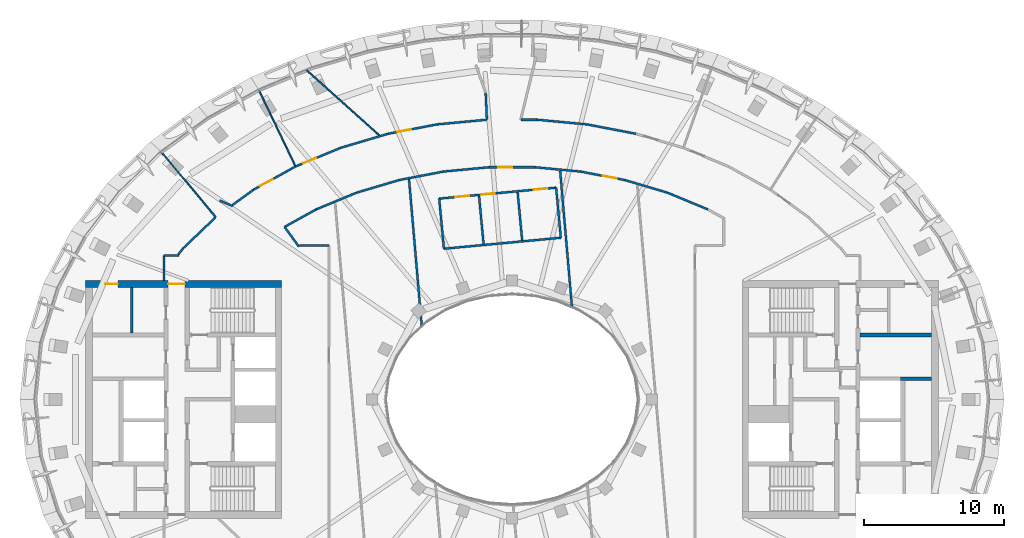
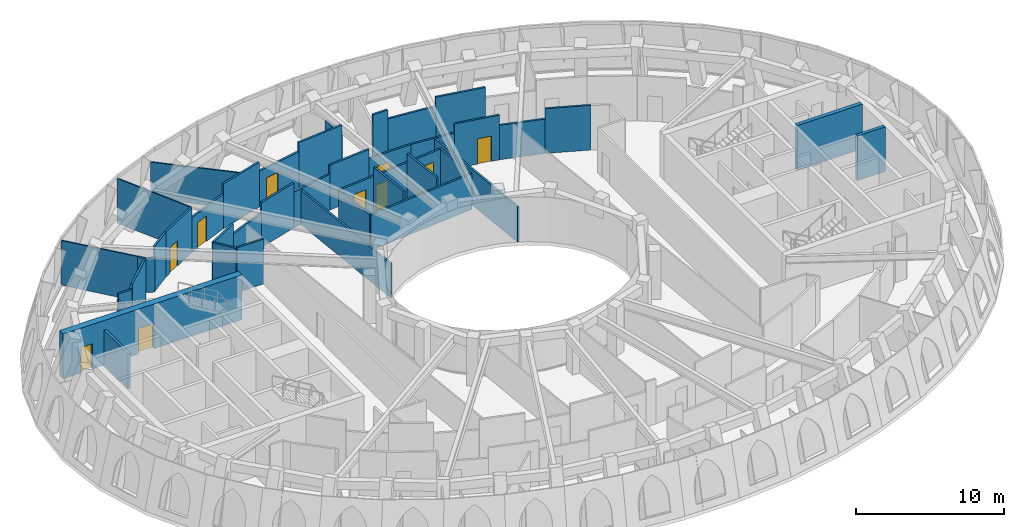
# One storey, part 6 of 14: 43 walls, 10 doors, 10 openings.
"""IFC4 building model written with IfcOpenShell, lengths in metres."""

from ifc_helpers import new_model, si_unit, direction, frame, frame_2d, origin, place, context, subcontext, project, spatial, rectangle, extrude, material, layer, layer_set, type_object, element, fill, save


model = new_model("IFC4")

# Units and contexts
model_context = context("Model", 3, precision=1e-05, world=origin(), true_north=direction((0.0, 1.0)))
body_context = subcontext(model_context, "Body", "Model", "MODEL_VIEW")
ifc_project = project(units=[si_unit("LENGTHUNIT", "METRE"), si_unit("AREAUNIT", "SQUARE_METRE"), si_unit("VOLUMEUNIT", "CUBIC_METRE"), si_unit("PLANEANGLEUNIT", "RADIAN"), si_unit("MASSUNIT", "GRAM", prefix="KILO")], contexts=[model_context])

# Site, building, storey
site_placement = place(None, origin())
site = spatial("IfcSite", under=ifc_project, at=site_placement, CompositionType="ELEMENT")
building_placement = place(site_placement, origin())
building = spatial("IfcBuilding", under=site, at=building_placement, Name="Noorbagh Ring Tower", CompositionType="ELEMENT")
storey_placement = place(building_placement, frame((0.0, 0.0, 339.0)))
storey = spatial("IfcBuildingStorey", under=building, at=storey_placement, Name="L74", CompositionType="ELEMENT", Elevation=339.0)

# Walls
ifc_material_1 = material(Name="Gypsum board on steel studs", Category="steel")
ifc_layer_1 = layer(ifc_material_1, 0.199951171875)
ifc_layer_set_1 = layer_set([ifc_layer_1], Name="Gypsum board on steel studs")
wall_type_1 = type_object("IfcWallType", Name="CORE-PARTITION-200", PredefinedType="PARTITIONING", material=ifc_layer_set_1)
wall_1_placement = place(storey_placement, frame((-27.199951171875, 4.75, 0.0), z_axis=(0.0, 0.0, 1.0), x_axis=(0.0, 1.0, 0.0)))
element("IfcWall", 1, at=wall_1_placement, inside=storey, type_object=wall_type_1, Name="Core partition W", PredefinedType="PARTITIONING", context=body_context, shape_type="SweptSolid", body=[
    extrude(rectangle(XDim=3.25, YDim=0.199951171875, at=frame_2d((1.625, 0.0))), origin(), (0.0, 0.0, 1.0), 2.89990234375),
])
ifc_material_2 = material(Name="Concrete C50/60", Category="concrete")
ifc_layer_2 = layer(ifc_material_2, 0.25)
ifc_layer_set_2 = layer_set([ifc_layer_2], Name="Concrete C50/60")
wall_type_2 = type_object("IfcWallType", Name="CORE-WALL-250-C50-60-EI120", PredefinedType="SHEAR", material=ifc_layer_set_2)
wall_2_placement = place(storey_placement, frame((27.800048828125, 1.47509765625, 0.0), z_axis=(0.0, 0.0, 1.0), x_axis=(1.0, 0.0, 0.0)))
element("IfcWall", 2, at=wall_2_placement, inside=storey, type_object=wall_type_2, Name="Core wall E", PredefinedType="SHEAR", context=body_context, shape_type="SweptSolid", body=[
    extrude(rectangle(XDim=2.199951171875, YDim=0.25, at=frame_2d((1.10009765625, 0.0))), origin(), (0.0, 0.0, 1.0), 3.699951171875),
])
ifc_material_3 = material(Name="Concrete C50/60", Category="concrete")
ifc_layer_3 = layer(ifc_material_3, 0.300048828125)
ifc_layer_set_3 = layer_set([ifc_layer_3], Name="Concrete C50/60")
wall_type_3 = type_object("IfcWallType", Name="CORE-WALL-300-C50-60-EI240", PredefinedType="SHEAR", material=ifc_layer_set_3)
wall_3_placement = place(storey_placement, frame((24.89990234375, 4.60009765625, 0.0), z_axis=(0.0, 0.0, 1.0), x_axis=(1.0, 0.0, 0.0)))
element("IfcWall", 3, at=wall_3_placement, inside=storey, type_object=wall_type_3, Name="Core wall E", PredefinedType="SHEAR", context=body_context, shape_type="SweptSolid", body=[
    extrude(rectangle(XDim=5.10009765625, YDim=0.300048828125, at=frame_2d((2.550048828125, 0.0))), origin(), (0.0, 0.0, 1.0), 3.699951171875),
])

# Wall, openings, doors
ifc_material_4 = material(Name="Concrete C50/60", Category="concrete")
ifc_layer_4 = layer(ifc_material_4, 0.5)
ifc_layer_set_4 = layer_set([ifc_layer_4], Name="Concrete C50/60")
wall_type_4 = type_object("IfcWallType", Name="CORE-WALL-500-C50-60-EI240", PredefinedType="SHEAR", material=ifc_layer_set_4)
wall_4_placement = place(storey_placement, frame((-16.5, 8.25, 0.0), z_axis=(0.0, 0.0, 1.0), x_axis=(-1.0, 0.0, 0.0)))
wall_4 = element("IfcWall", 4, at=wall_4_placement, inside=storey, type_object=wall_type_4, Name="Core wall W", PredefinedType="SHEAR", context=body_context, shape_type="SweptSolid", body=[
    extrude(rectangle(XDim=14.0, YDim=0.5, at=frame_2d((7.0, 0.0))), origin(), (0.0, 0.0, 1.0), 3.699951171875),
])
opening_1_placement = place(wall_4_placement, frame((6.89990234375, 0.0, 0.0)))
opening_1 = element("IfcOpeningElement", 5, at=opening_1_placement, cuts=wall_4, Name="Opening L74-CW09", PredefinedType="OPENING", context=body_context, shape_type="SweptSolid", body=[
    extrude(rectangle(XDim=1.199951171875, YDim=2.10009765625, at=frame_2d((0.60009765625, 1.050048828125))), frame((0.0, 0.260009765625, 0.0), z_axis=(0.0, -1.0, 0.0), x_axis=(1.0, 0.0, 0.0)), (0.0, 0.0, 1.0), 0.52001953125),
])
opening_2_placement = place(wall_4_placement, frame((11.699951171875, 0.0, 0.0)))
opening_2 = element("IfcOpeningElement", 6, at=opening_2_placement, cuts=wall_4, Name="Opening L74-CW13", PredefinedType="OPENING", context=body_context, shape_type="SweptSolid", body=[
    extrude(rectangle(XDim=0.89990234375, YDim=2.10009765625, at=frame_2d((0.449951171875, 1.050048828125))), frame((0.0, 0.260009765625, 0.0), z_axis=(0.0, -1.0, 0.0), x_axis=(1.0, 0.0, 0.0)), (0.0, 0.0, 1.0), 0.52001953125),
])
ifc_material_5 = material(Name="Steel door leaf", Category="steel")
door_type_1 = type_object("IfcDoorType", Name="CORE-DOOR-DROOM", OperationType="SINGLE_SWING_LEFT", PredefinedType="DOOR", material=ifc_material_5)
door_1_placement = place(opening_2_placement, origin())
door_1 = element("IfcDoor", 7, at=door_1_placement, inside=storey, type_object=door_type_1, Name="Core room door L74-CW13", OperationType="SINGLE_SWING_RIGHT", OverallHeight=2.10009765625, OverallWidth=0.89990234375, PredefinedType="DOOR", context=body_context, shape_type="SweptSolid", body=[
    extrude(rectangle(XDim=0.89990234375, YDim=2.10009765625, at=frame_2d((0.449951171875, 1.050048828125))), frame((0.0, 0.02490234375, 0.0), z_axis=(0.0, -1.0, 0.0), x_axis=(1.0, 0.0, 0.0)), (0.0, 0.0, 1.0), 0.050048828125),
])
fill(opening_2, door_1)
ifc_material_6 = material(Name="Steel door leaf", Category="steel")
door_type_2 = type_object("IfcDoorType", Name="CORE-DOOR-PORT", OperationType="DOUBLE_DOOR_DOUBLE_SWING", PredefinedType="DOOR", material=ifc_material_6)
door_2_placement = place(opening_1_placement, origin())
door_2 = element("IfcDoor", 8, at=door_2_placement, inside=storey, type_object=door_type_2, Name="Core entrance door L74-CW09", OperationType="DOUBLE_DOOR_DOUBLE_SWING", OverallHeight=2.10009765625, OverallWidth=1.199951171875, PredefinedType="DOOR", context=body_context, shape_type="SweptSolid", body=[
    extrude(rectangle(XDim=1.199951171875, YDim=2.10009765625, at=frame_2d((0.60009765625, 1.050048828125))), frame((0.0, 0.02490234375, 0.0), z_axis=(0.0, -1.0, 0.0), x_axis=(1.0, 0.0, 0.0)), (0.0, 0.0, 1.0), 0.050048828125),
])
fill(opening_1, door_2)

# Walls
ifc_material_7 = material(Name="Gypsum board on steel studs", Category="steel")
ifc_layer_5 = layer(ifc_material_7, 0.14990234375)
ifc_layer_set_5 = layer_set([ifc_layer_5], Name="Gypsum board on steel studs")
wall_type_5 = type_object("IfcWallType", Name="CORRIDOR PARTITION 150 EI 30", PredefinedType="PARTITIONING", material=ifc_layer_set_5)
wall_5_placement = place(storey_placement, frame((-24.89990234375, 8.5, 0.0), z_axis=(0.0, 0.0, 1.0), x_axis=(0.0, 1.0, 0.0)))
element("IfcWall", 9, at=wall_5_placement, inside=storey, type_object=wall_type_5, Name="L74/wall/P04", PredefinedType="PARTITIONING", context=body_context, shape_type="SweptSolid", body=[
    extrude(rectangle(XDim=1.800048828125, YDim=0.14990234375, at=frame_2d((0.89990234375, 0.0))), origin(), (0.0, 0.0, 1.0), 3.199951171875),
])
wall_6_placement = place(storey_placement, frame((-24.89990234375, 10.300048828125, 0.0), z_axis=(0.0, 0.0, 1.0), x_axis=(1.0, 0.0, 0.0)))
element("IfcWall", 10, at=wall_6_placement, inside=storey, type_object=wall_type_5, Name="L74/wall/P05", PredefinedType="PARTITIONING", context=body_context, shape_type="SweptSolid", body=[
    extrude(rectangle(XDim=1.074951171875, YDim=0.14990234375, at=frame_2d((0.53759765625, 0.0))), origin(), (0.0, 0.0, 1.0), 3.699951171875),
])
wall_7_placement = place(storey_placement, frame((-23.862060546875, 10.375, 0.0), z_axis=(0.0, 0.0, 1.0), x_axis=(0.610047000557, 0.792365229621, 0.0)))
element("IfcWall", 11, at=wall_7_placement, inside=storey, type_object=wall_type_5, Name="L74/wall/P07", PredefinedType="PARTITIONING", context=body_context, shape_type="SweptSolid", body=[
    extrude(rectangle(XDim=0.5263671875, YDim=0.14990234375, at=frame_2d((0.26318359375, 0.0))), origin(), (0.0, 0.0, 1.0), 3.699951171875),
])
wall_8_placement = place(storey_placement, frame((-23.541015625, 10.7919921875, 0.0), z_axis=(0.0, 0.0, 1.0), x_axis=(0.722572940002, 0.691294688521, 0.0)))
element("IfcWall", 12, at=wall_8_placement, inside=storey, type_object=wall_type_5, Name="L74/wall/P09", PredefinedType="PARTITIONING", context=body_context, shape_type="SweptSolid", body=[
    extrude(rectangle(XDim=3.2314453125, YDim=0.14990234375, at=frame_2d((1.61572265625, 0.0))), origin(), (0.0, 0.0, 1.0), 3.699951171875),
])
wall_9_placement = place(storey_placement, frame((-21.511962890625, 13.424072265625, 0.0), z_axis=(0.0, 0.0, 1.0), x_axis=(0.640523059308, -0.767938936697, 0.0)))
element("IfcWall", 13, at=wall_9_placement, inside=storey, type_object=wall_type_5, Name="L74/wall/P11", PredefinedType="PARTITIONING", context=body_context, shape_type="SweptSolid", body=[
    extrude(rectangle(XDim=0.496337890625, YDim=0.14990234375, at=frame_2d((0.248046875, 0.0))), origin(), (0.0, 0.0, 1.0), 3.699951171875),
])
wall_10_placement = place(storey_placement, frame((-20.908935546875, 14.22412109375, 0.0), z_axis=(0.0, 0.0, 1.0), x_axis=(0.923119524634, -0.384513124925, 0.0)))
element("IfcWall", 14, at=wall_10_placement, inside=storey, type_object=wall_type_5, Name="L74/wall/P14", PredefinedType="PARTITIONING", context=body_context, shape_type="SweptSolid", body=[
    extrude(rectangle(XDim=1.01708984375, YDim=0.14990234375, at=frame_2d((0.508544921875, 0.0))), origin(), (0.0, 0.0, 1.0), 2.85009765625),
])
wall_11_placement = place(storey_placement, frame((-19.986083984375, 13.9140625, 0.0), z_axis=(0.0, 0.0, 1.0), x_axis=(0.809399822504, 0.587257973408, 0.0)))
element("IfcWall", 15, at=wall_11_placement, inside=storey, type_object=wall_type_5, Name="L74/wall/P16", PredefinedType="PARTITIONING", context=body_context, shape_type="SweptSolid", body=[
    extrude(rectangle(XDim=1.859619140625, YDim=0.14990234375, at=frame_2d((0.9296875, 0.0))), origin(), (0.0, 0.0, 1.0), 3.699951171875),
])

# Wall, opening, door
wall_12_placement = place(storey_placement, frame((-18.48095703125, 15.006103515625, 0.0), z_axis=(0.0, 0.0, 1.0), x_axis=(0.875303781325, 0.483573459154, 0.0)))
wall_12 = element("IfcWall", 16, at=wall_12_placement, inside=storey, type_object=wall_type_5, Name="L74/wall/P19", PredefinedType="PARTITIONING", context=body_context, shape_type="SweptSolid", body=[
    extrude(rectangle(XDim=3.407958984375, YDim=0.14990234375, at=frame_2d((1.7041015625, 0.0))), origin(), (0.0, 0.0, 1.0), 3.699951171875),
])
opening_3_placement = place(wall_12_placement, frame((0.528564453125, 0.0, 0.0)))
opening_3 = element("IfcOpeningElement", 17, at=opening_3_placement, cuts=wall_12, Name="Opening D1", PredefinedType="OPENING", context=body_context, shape_type="SweptSolid", body=[
    extrude(rectangle(XDim=1.0, YDim=2.10009765625, at=frame_2d((0.5, 1.050048828125))), frame((0.0, 0.0849609375, 0.0), z_axis=(0.0, -1.0, 0.0), x_axis=(1.0, 0.0, 0.0)), (0.0, 0.0, 1.0), 0.169921875),
])
ifc_material_8 = material(Name="Timber, painted", Category="wood")
door_type_3 = type_object("IfcDoorType", Name="DOOR 1000 X 2100 FD30", OperationType="SINGLE_SWING_LEFT", PredefinedType="DOOR", material=ifc_material_8)
door_3_placement = place(opening_3_placement, origin())
door_3 = element("IfcDoor", 18, at=door_3_placement, inside=storey, type_object=door_type_3, Name="L74-D06", OperationType="SINGLE_SWING_RIGHT", OverallHeight=2.10009765625, OverallWidth=1.0, PredefinedType="DOOR", context=body_context, shape_type="SweptSolid", body=[
    extrude(rectangle(XDim=1.0, YDim=2.10009765625, at=frame_2d((0.5, 1.050048828125))), frame((0.0, 0.02490234375, 0.0), z_axis=(0.0, -1.0, 0.0), x_axis=(1.0, 0.0, 0.0)), (0.0, 0.0, 1.0), 0.050048828125),
])
fill(opening_3, door_3)

# Walls
wall_13_placement = place(storey_placement, frame((-16.26904296875, 12.343017578125, 0.0), z_axis=(0.0, 0.0, 1.0), x_axis=(0.586985844931, -0.809597194814, 0.0)))
element("IfcWall", 19, at=wall_13_placement, inside=storey, type_object=wall_type_5, Name="L74/wall/P25", PredefinedType="PARTITIONING", context=body_context, shape_type="SweptSolid", body=[
    extrude(rectangle(XDim=1.75146484375, YDim=0.14990234375, at=frame_2d((0.875732421875, 0.0))), origin(), (0.0, 0.0, 1.0), 3.699951171875),
])
wall_14_placement = place(storey_placement, frame((-16.26904296875, 12.343017578125, 0.0), z_axis=(0.0, 0.0, 1.0), x_axis=(0.875142781746, 0.483864765775, 0.0)))
element("IfcWall", 20, at=wall_14_placement, inside=storey, type_object=wall_type_5, Name="L74/wall/P26", PredefinedType="PARTITIONING", context=body_context, shape_type="SweptSolid", body=[
    extrude(rectangle(XDim=2.58935546875, YDim=0.14990234375, at=frame_2d((1.294677734375, 0.0))), origin(), (0.0, 0.0, 1.0), 3.699951171875),
])

# Wall, opening, door
wall_15_placement = place(storey_placement, frame((-15.47998046875, 16.6640625, 0.0), z_axis=(0.0, 0.0, 1.0), x_axis=(0.923972515927, 0.38245887336, 0.0)))
wall_15 = element("IfcWall", 21, at=wall_15_placement, inside=storey, type_object=wall_type_5, Name="L74/wall/P30", PredefinedType="PARTITIONING", context=body_context, shape_type="SweptSolid", body=[
    extrude(rectangle(XDim=3.490478515625, YDim=0.14990234375, at=frame_2d((1.7451171875, 0.0))), origin(), (0.0, 0.0, 1.0), 2.85009765625),
])
opening_4_placement = place(wall_15_placement, frame((0.59033203125, 0.0, 0.0)))
opening_4 = element("IfcOpeningElement", 22, at=opening_4_placement, cuts=wall_15, Name="Opening D1", PredefinedType="OPENING", context=body_context, shape_type="SweptSolid", body=[
    extrude(rectangle(XDim=1.0, YDim=2.10009765625, at=frame_2d((0.5, 1.050048828125))), frame((0.0, 0.0849609375, 0.0), z_axis=(0.0, -1.0, 0.0), x_axis=(1.0, 0.0, 0.0)), (0.0, 0.0, 1.0), 0.169921875),
])
door_4_placement = place(opening_4_placement, origin())
door_4 = element("IfcDoor", 23, at=door_4_placement, inside=storey, type_object=door_type_3, Name="L74-D08", OperationType="SINGLE_SWING_RIGHT", OverallHeight=2.10009765625, OverallWidth=1.0, PredefinedType="DOOR", context=body_context, shape_type="SweptSolid", body=[
    extrude(rectangle(XDim=1.0, YDim=2.10009765625, at=frame_2d((0.5, 1.050048828125))), frame((0.0, 0.02490234375, 0.0), z_axis=(0.0, -1.0, 0.0), x_axis=(1.0, 0.0, 0.0)), (0.0, 0.0, 1.0), 0.050048828125),
])
fill(opening_4, door_4)

# Walls
wall_16_placement = place(storey_placement, frame((-15.201904296875, 11.0, 0.0), z_axis=(0.0, 0.0, 1.0), x_axis=(1.0, 0.0, 0.0)))
element("IfcWall", 24, at=wall_16_placement, inside=storey, type_object=wall_type_5, Name="L74/wall/P31", PredefinedType="PARTITIONING", context=body_context, shape_type="SweptSolid", body=[
    extrude(rectangle(XDim=2.101806640625, YDim=0.14990234375, at=frame_2d((1.05078125, 0.0))), origin(), (0.0, 0.0, 1.0), 3.699951171875),
])
wall_17_placement = place(storey_placement, frame((-14.0029296875, 13.595947265625, 0.0), z_axis=(0.0, 0.0, 1.0), x_axis=(0.923937725564, 0.382542911685, 0.0)))
element("IfcWall", 25, at=wall_17_placement, inside=storey, type_object=wall_type_5, Name="L74/wall/P35", PredefinedType="PARTITIONING", context=body_context, shape_type="SweptSolid", body=[
    extrude(rectangle(XDim=3.121337890625, YDim=0.14990234375, at=frame_2d((1.560546875, 0.0))), origin(), (0.0, 0.0, 1.0), 2.85009765625),
])
wall_18_placement = place(storey_placement, frame((-12.2548828125, 17.9990234375, 0.0), z_axis=(0.0, 0.0, 1.0), x_axis=(0.958814835119, 0.284031885456, 0.0)))
element("IfcWall", 26, at=wall_18_placement, inside=storey, type_object=wall_type_5, Name="L74/wall/P39", PredefinedType="PARTITIONING", context=body_context, shape_type="SweptSolid", body=[
    extrude(rectangle(XDim=3.534423828125, YDim=0.14990234375, at=frame_2d((1.76708984375, 0.0))), origin(), (0.0, 0.0, 1.0), 3.699951171875),
])
wall_19_placement = place(storey_placement, frame((-11.118896484375, 14.7900390625, 0.0), z_axis=(0.0, 0.0, 1.0), x_axis=(0.958800429476, 0.284080510482, 0.0)))
element("IfcWall", 27, at=wall_19_placement, inside=storey, type_object=wall_type_5, Name="L74/wall/P41", PredefinedType="PARTITIONING", context=body_context, shape_type="SweptSolid", body=[
    extrude(rectangle(XDim=3.189208984375, YDim=0.14990234375, at=frame_2d((1.5947265625, 0.0))), origin(), (0.0, 0.0, 1.0), 3.699951171875),
])

# Wall, opening, door
wall_20_placement = place(storey_placement, frame((-8.865966796875, 19.0029296875, 0.0), z_axis=(0.0, 0.0, 1.0), x_axis=(0.982136086286, 0.188172017089, 0.0)))
wall_20 = element("IfcWall", 28, at=wall_20_placement, inside=storey, type_object=wall_type_5, Name="L74/wall/P43", PredefinedType="PARTITIONING", context=body_context, shape_type="SweptSolid", body=[
    extrude(rectangle(XDim=3.566650390625, YDim=0.14990234375, at=frame_2d((1.783203125, 0.0))), origin(), (0.0, 0.0, 1.0), 2.949951171875),
])
opening_5_placement = place(wall_20_placement, frame((0.666748046875, 0.0, 0.0)))
opening_5 = element("IfcOpeningElement", 29, at=opening_5_placement, cuts=wall_20, Name="Opening D1", PredefinedType="OPENING", context=body_context, shape_type="SweptSolid", body=[
    extrude(rectangle(XDim=1.0, YDim=2.10009765625, at=frame_2d((0.5, 1.050048828125))), frame((0.0, 0.0849609375, 0.0), z_axis=(0.0, -1.0, 0.0), x_axis=(1.0, 0.0, 0.0)), (0.0, 0.0, 1.0), 0.169921875),
])
door_5_placement = place(opening_5_placement, origin())
door_5 = element("IfcDoor", 30, at=door_5_placement, inside=storey, type_object=door_type_3, Name="L74-D10", OperationType="SINGLE_SWING_RIGHT", OverallHeight=2.10009765625, OverallWidth=1.0, PredefinedType="DOOR", context=body_context, shape_type="SweptSolid", body=[
    extrude(rectangle(XDim=1.0, YDim=2.10009765625, at=frame_2d((0.5, 1.050048828125))), frame((0.0, 0.02490234375, 0.0), z_axis=(0.0, -1.0, 0.0), x_axis=(1.0, 0.0, 0.0)), (0.0, 0.0, 1.0), 0.050048828125),
])
fill(opening_5, door_5)

# Walls
wall_21_placement = place(storey_placement, frame((-8.06103515625, 15.696044921875, 0.0), z_axis=(0.0, 0.0, 1.0), x_axis=(0.982180989815, 0.187937498243, 0.0)))
element("IfcWall", 31, at=wall_21_placement, inside=storey, type_object=wall_type_5, Name="L74/wall/P45", PredefinedType="PARTITIONING", context=body_context, shape_type="SweptSolid", body=[
    extrude(rectangle(XDim=3.234619140625, YDim=0.14990234375, at=frame_2d((1.6171875, 0.0))), origin(), (0.0, 0.0, 1.0), 2.949951171875),
])
wall_22_placement = place(storey_placement, frame((-7.365966796875, 15.751953125, 0.0), z_axis=(0.0, 0.0, 1.0), x_axis=(0.086256206043, -0.996272988151, 0.0)))
element("IfcWall", 32, at=wall_22_placement, inside=storey, type_object=wall_type_5, Name="L74/wall/P46", PredefinedType="PARTITIONING", context=body_context, shape_type="SweptSolid", body=[
    extrude(rectangle(XDim=10.6083984375, YDim=0.14990234375, at=frame_2d((5.30419921875, 0.0))), origin(), (0.0, 0.0, 1.0), 2.85009765625),
])
wall_23_placement = place(storey_placement, frame((-5.363037109375, 19.674072265625, 0.0), z_axis=(0.0, 0.0, 1.0), x_axis=(0.995624471691, 0.093444696854, 0.0)))
element("IfcWall", 33, at=wall_23_placement, inside=storey, type_object=wall_type_5, Name="L74/wall/P49", PredefinedType="PARTITIONING", context=body_context, shape_type="SweptSolid", body=[
    extrude(rectangle(XDim=3.563720703125, YDim=0.14990234375, at=frame_2d((1.78173828125, 0.0))), origin(), (0.0, 0.0, 1.0), 3.699951171875),
])
wall_24_placement = place(storey_placement, frame((-5.20703125, 14.364990234375, 0.0), z_axis=(0.0, 0.0, 1.0), x_axis=(0.093323900755, -0.99563580166, 0.0)))
element("IfcWall", 34, at=wall_24_placement, inside=storey, type_object=wall_type_5, Name="L74/wall/P50", PredefinedType="PARTITIONING", context=body_context, shape_type="SweptSolid", body=[
    extrude(rectangle(XDim=3.599609375, YDim=0.14990234375, at=frame_2d((1.7998046875, 0.0))), origin(), (0.0, 0.0, 1.0), 2.949951171875),
])

# Wall, openings, doors
wall_25_placement = place(storey_placement, frame((-5.20703125, 14.364990234375, 0.0), z_axis=(0.0, 0.0, 1.0), x_axis=(0.995624513556, 0.093444250798, 0.0)))
wall_25 = element("IfcWall", 35, at=wall_25_placement, inside=storey, type_object=wall_type_5, Name="L74/wall/P51", PredefinedType="PARTITIONING", context=body_context, shape_type="SweptSolid", body=[
    extrude(rectangle(XDim=8.39990234375, YDim=0.14990234375, at=frame_2d((4.199951171875, 0.0))), origin(), (0.0, 0.0, 1.0), 2.949951171875),
])
opening_6_placement = place(wall_25_placement, frame((1.14990234375, 0.0, 0.0)))
opening_6 = element("IfcOpeningElement", 36, at=opening_6_placement, cuts=wall_25, Name="Opening D3", PredefinedType="OPENING", context=body_context, shape_type="SweptSolid", body=[
    extrude(rectangle(XDim=1.0, YDim=2.10009765625, at=frame_2d((0.5, 1.050048828125))), frame((0.0, 0.0849609375, 0.0), z_axis=(0.0, -1.0, 0.0), x_axis=(1.0, 0.0, 0.0)), (0.0, 0.0, 1.0), 0.169921875),
])
opening_7_placement = place(wall_25_placement, frame((3.005615234375, 0.0, 0.0)))
opening_7 = element("IfcOpeningElement", 37, at=opening_7_placement, cuts=wall_25, Name="Opening D3", PredefinedType="OPENING", context=body_context, shape_type="SweptSolid", body=[
    extrude(rectangle(XDim=1.0, YDim=2.10009765625, at=frame_2d((0.5, 1.050048828125))), frame((0.0, 0.0849609375, 0.0), z_axis=(0.0, -1.0, 0.0), x_axis=(1.0, 0.0, 0.0)), (0.0, 0.0, 1.0), 0.169921875),
])
opening_8_placement = place(wall_25_placement, frame((6.777587890625, 0.0, 0.0)))
opening_8 = element("IfcOpeningElement", 38, at=opening_8_placement, cuts=wall_25, Name="Opening D3", PredefinedType="OPENING", context=body_context, shape_type="SweptSolid", body=[
    extrude(rectangle(XDim=1.0, YDim=2.10009765625, at=frame_2d((0.5, 1.050048828125))), frame((0.0, 0.0849609375, 0.0), z_axis=(0.0, -1.0, 0.0), x_axis=(1.0, 0.0, 0.0)), (0.0, 0.0, 1.0), 0.169921875),
])
ifc_material_9 = material(Name="Timber, painted", Category="wood")
door_type_4 = type_object("IfcDoorType", Name="DOOR 1000 X 2100 WC", OperationType="SINGLE_SWING_LEFT", PredefinedType="DOOR", material=ifc_material_9)
door_6_placement = place(opening_6_placement, origin())
door_6 = element("IfcDoor", 39, at=door_6_placement, inside=storey, type_object=door_type_4, Name="L74-D02", OperationType="SINGLE_SWING_RIGHT", OverallHeight=2.10009765625, OverallWidth=1.0, PredefinedType="DOOR", context=body_context, shape_type="SweptSolid", body=[
    extrude(rectangle(XDim=1.0, YDim=2.10009765625, at=frame_2d((0.5, 1.050048828125))), frame((0.0, 0.02490234375, 0.0), z_axis=(0.0, -1.0, 0.0), x_axis=(1.0, 0.0, 0.0)), (0.0, 0.0, 1.0), 0.050048828125),
])
fill(opening_6, door_6)
door_7_placement = place(opening_7_placement, origin())
door_7 = element("IfcDoor", 40, at=door_7_placement, inside=storey, type_object=door_type_4, Name="L74-D03", OperationType="SINGLE_SWING_LEFT", OverallHeight=2.10009765625, OverallWidth=1.0, PredefinedType="DOOR", context=body_context, shape_type="SweptSolid", body=[
    extrude(rectangle(XDim=1.0, YDim=2.10009765625, at=frame_2d((0.5, 1.050048828125))), frame((0.0, 0.02490234375, 0.0), z_axis=(0.0, -1.0, 0.0), x_axis=(1.0, 0.0, 0.0)), (0.0, 0.0, 1.0), 0.050048828125),
])
fill(opening_7, door_7)
door_8_placement = place(opening_8_placement, origin())
door_8 = element("IfcDoor", 41, at=door_8_placement, inside=storey, type_object=door_type_4, Name="L74-D04", OperationType="SINGLE_SWING_RIGHT", OverallHeight=2.10009765625, OverallWidth=1.0, PredefinedType="DOOR", context=body_context, shape_type="SweptSolid", body=[
    extrude(rectangle(XDim=1.0, YDim=2.10009765625, at=frame_2d((0.5, 1.050048828125))), frame((0.0, 0.02490234375, 0.0), z_axis=(0.0, -1.0, 0.0), x_axis=(1.0, 0.0, 0.0)), (0.0, 0.0, 1.0), 0.050048828125),
])
fill(opening_8, door_8)

# Walls
wall_26_placement = place(storey_placement, frame((-4.884033203125, 16.303955078125, 0.0), z_axis=(0.0, 0.0, 1.0), x_axis=(0.995622046736, 0.093470530395, 0.0)))
element("IfcWall", 42, at=wall_26_placement, inside=storey, type_object=wall_type_5, Name="L74/wall/P53", PredefinedType="PARTITIONING", context=body_context, shape_type="SweptSolid", body=[
    extrude(rectangle(XDim=3.262451171875, YDim=0.14990234375, at=frame_2d((1.63134765625, 0.0))), origin(), (0.0, 0.0, 1.0), 3.699951171875),
])
wall_27_placement = place(storey_placement, frame((-4.866943359375, 10.781005859375, 0.0), z_axis=(0.0, 0.0, 1.0), x_axis=(0.995620195917, 0.093490242709, 0.0)))
element("IfcWall", 43, at=wall_27_placement, inside=storey, type_object=wall_type_5, Name="L74/wall/P54", PredefinedType="PARTITIONING", context=body_context, shape_type="SweptSolid", body=[
    extrude(rectangle(XDim=8.395751953125, YDim=0.14990234375, at=frame_2d((4.19775390625, 0.0))), origin(), (0.0, 0.0, 1.0), 2.949951171875),
])
wall_28_placement = place(storey_placement, frame((-2.35693359375, 14.556884765625, 0.0), z_axis=(0.0, 0.0, 1.0), x_axis=(0.093649887605, -0.995605192108, 0.0)))
element("IfcWall", 44, at=wall_28_placement, inside=storey, type_object=wall_type_5, Name="L74/wall/P57", PredefinedType="PARTITIONING", context=body_context, shape_type="SweptSolid", body=[
    extrude(rectangle(XDim=3.448974609375, YDim=0.14990234375, at=frame_2d((1.724609375, 0.0))), origin(), (0.0, 0.0, 1.0), 3.699951171875),
])
wall_29_placement = place(storey_placement, frame((-1.885009765625, 21.930908203125, 0.0), z_axis=(0.0, 0.0, 1.0), x_axis=(0.0469187403, -0.998898709484, 0.0)))
element("IfcWall", 45, at=wall_29_placement, inside=storey, type_object=wall_type_5, Name="L74/wall/P61", PredefinedType="PARTITIONING", context=body_context, shape_type="SweptSolid", body=[
    extrude(rectangle(XDim=1.920166015625, YDim=0.14990234375, at=frame_2d((0.9599609375, 0.0))), origin(), (0.0, 0.0, 1.0), 2.949951171875),
])

# Wall, opening, door
wall_30_placement = place(storey_placement, frame((-1.635986328125, 16.60888671875, 0.0), z_axis=(0.0, 0.0, 1.0), x_axis=(1.0, 0.0, 0.0)))
wall_30 = element("IfcWall", 46, at=wall_30_placement, inside=storey, type_object=wall_type_5, Name="L74/wall/P63", PredefinedType="PARTITIONING", context=body_context, shape_type="SweptSolid", body=[
    extrude(rectangle(XDim=3.27197265625, YDim=0.14990234375, at=frame_2d((1.635986328125, 0.0))), origin(), (0.0, 0.0, 1.0), 2.949951171875),
])
opening_9_placement = place(wall_30_placement, frame((0.64990234375, 0.0, 0.0)))
opening_9 = element("IfcOpeningElement", 47, at=opening_9_placement, cuts=wall_30, Name="Opening D1", PredefinedType="OPENING", context=body_context, shape_type="SweptSolid", body=[
    extrude(rectangle(XDim=1.0, YDim=2.10009765625, at=frame_2d((0.5, 1.050048828125))), frame((0.0, 0.0849609375, 0.0), z_axis=(0.0, -1.0, 0.0), x_axis=(1.0, 0.0, 0.0)), (0.0, 0.0, 1.0), 0.169921875),
])
door_9_placement = place(opening_9_placement, origin())
door_9 = element("IfcDoor", 48, at=door_9_placement, inside=storey, type_object=door_type_3, Name="L74-D01", OperationType="SINGLE_SWING_LEFT", OverallHeight=2.10009765625, OverallWidth=1.0, PredefinedType="DOOR", context=body_context, shape_type="SweptSolid", body=[
    extrude(rectangle(XDim=1.0, YDim=2.10009765625, at=frame_2d((0.5, 1.050048828125))), frame((0.0, 0.02490234375, 0.0), z_axis=(0.0, -1.0, 0.0), x_axis=(1.0, 0.0, 0.0)), (0.0, 0.0, 1.0), 0.050048828125),
])
fill(opening_9, door_9)

# Walls
wall_31_placement = place(storey_placement, frame((0.403076171875, 14.81591796875, 0.0), z_axis=(0.0, 0.0, 1.0), x_axis=(0.093649887605, -0.995605192108, 0.0)))
element("IfcWall", 49, at=wall_31_placement, inside=storey, type_object=wall_type_5, Name="L74/wall/P67", PredefinedType="PARTITIONING", context=body_context, shape_type="SweptSolid", body=[
    extrude(rectangle(XDim=3.448974609375, YDim=0.14990234375, at=frame_2d((1.724609375, 0.0))), origin(), (0.0, 0.0, 1.0), 3.699951171875),
])
wall_32_placement = place(storey_placement, frame((0.639892578125, 20.009033203125, 0.0), z_axis=(0.0, 0.0, 1.0), x_axis=(1.0, 0.0, 0.0)))
element("IfcWall", 50, at=wall_32_placement, inside=storey, type_object=wall_type_5, Name="L74/wall/P71", PredefinedType="PARTITIONING", context=body_context, shape_type="SweptSolid", body=[
    extrude(rectangle(XDim=1.155029296875, YDim=0.14990234375, at=frame_2d((0.57763671875, 0.0))), origin(), (0.0, 0.0, 1.0), 3.699951171875),
])
wall_33_placement = place(storey_placement, frame((1.635986328125, 16.60888671875, 0.0), z_axis=(0.0, 0.0, 1.0), x_axis=(0.995622046736, -0.093470530395, 0.0)))
element("IfcWall", 51, at=wall_33_placement, inside=storey, type_object=wall_type_5, Name="L74/wall/P76", PredefinedType="PARTITIONING", context=body_context, shape_type="SweptSolid", body=[
    extrude(rectangle(XDim=3.262451171875, YDim=0.14990234375, at=frame_2d((1.63134765625, 0.0))), origin(), (0.0, 0.0, 1.0), 2.949951171875),
])
wall_34_placement = place(storey_placement, frame((1.794921875, 20.009033203125, 0.0), z_axis=(0.0, 0.0, 1.0), x_axis=(0.995622545641, -0.093465216053, 0.0)))
element("IfcWall", 52, at=wall_34_placement, inside=storey, type_object=wall_type_5, Name="L74/wall/P78", PredefinedType="PARTITIONING", context=body_context, shape_type="SweptSolid", body=[
    extrude(rectangle(XDim=3.583740234375, YDim=0.14990234375, at=frame_2d((1.7919921875, 0.0))), origin(), (0.0, 0.0, 1.0), 2.949951171875),
])
wall_35_placement = place(storey_placement, frame((3.156005859375, 15.14990234375, 0.0), z_axis=(0.0, 0.0, 1.0), x_axis=(0.093431154731, -0.995625742599, 0.0)))
element("IfcWall", 53, at=wall_35_placement, inside=storey, type_object=wall_type_5, Name="L74/wall/P79", PredefinedType="PARTITIONING", context=body_context, shape_type="SweptSolid", body=[
    extrude(rectangle(XDim=3.595458984375, YDim=0.14990234375, at=frame_2d((1.7978515625, 0.0))), origin(), (0.0, 0.0, 1.0), 2.949951171875),
])
wall_36_placement = place(storey_placement, frame((3.443115234375, 16.360107421875, 0.0), z_axis=(0.0, 0.0, 1.0), x_axis=(0.086330685338, -0.996266537012, 0.0)))
element("IfcWall", 54, at=wall_36_placement, inside=storey, type_object=wall_type_5, Name="L74/wall/P80", PredefinedType="PARTITIONING", context=body_context, shape_type="SweptSolid", body=[
    extrude(rectangle(XDim=9.832763671875, YDim=0.14990234375, at=frame_2d((4.91650390625, 0.0))), origin(), (0.0, 0.0, 1.0), 2.949951171875),
])

# Wall, opening, door
wall_37_placement = place(storey_placement, frame((4.884033203125, 16.303955078125, 0.0), z_axis=(0.0, 0.0, 1.0), x_axis=(0.982180989815, -0.187937498243, 0.0)))
wall_37 = element("IfcWall", 55, at=wall_37_placement, inside=storey, type_object=wall_type_5, Name="L74/wall/P82", PredefinedType="PARTITIONING", context=body_context, shape_type="SweptSolid", body=[
    extrude(rectangle(XDim=3.234619140625, YDim=0.14990234375, at=frame_2d((1.6171875, 0.0))), origin(), (0.0, 0.0, 1.0), 3.699951171875),
])
opening_10_placement = place(wall_37_placement, frame((1.64990234375, 0.0, 0.0)))
opening_10 = element("IfcOpeningElement", 56, at=opening_10_placement, cuts=wall_37, Name="Opening D1", PredefinedType="OPENING", context=body_context, shape_type="SweptSolid", body=[
    extrude(rectangle(XDim=1.0, YDim=2.10009765625, at=frame_2d((0.5, 1.050048828125))), frame((0.0, 0.0849609375, 0.0), z_axis=(0.0, -1.0, 0.0), x_axis=(1.0, 0.0, 0.0)), (0.0, 0.0, 1.0), 0.169921875),
])
door_10_placement = place(opening_10_placement, origin())
door_10 = element("IfcDoor", 57, at=door_10_placement, inside=storey, type_object=door_type_3, Name="L74-D22", OperationType="SINGLE_SWING_RIGHT", OverallHeight=2.10009765625, OverallWidth=1.0, PredefinedType="DOOR", context=body_context, shape_type="SweptSolid", body=[
    extrude(rectangle(XDim=1.0, YDim=2.10009765625, at=frame_2d((0.5, 1.050048828125))), frame((0.0, 0.02490234375, 0.0), z_axis=(0.0, -1.0, 0.0), x_axis=(1.0, 0.0, 0.0)), (0.0, 0.0, 1.0), 0.050048828125),
])
fill(opening_10, door_10)

# Walls
wall_38_placement = place(storey_placement, frame((5.363037109375, 19.674072265625, 0.0), z_axis=(0.0, 0.0, 1.0), x_axis=(0.982136086286, -0.188172017089, 0.0)))
element("IfcWall", 58, at=wall_38_placement, inside=storey, type_object=wall_type_5, Name="L74/wall/P84", PredefinedType="PARTITIONING", context=body_context, shape_type="SweptSolid", body=[
    extrude(rectangle(XDim=3.566650390625, YDim=0.14990234375, at=frame_2d((1.783203125, 0.0))), origin(), (0.0, 0.0, 1.0), 3.699951171875),
])
wall_39_placement = place(storey_placement, frame((8.06103515625, 15.696044921875, 0.0), z_axis=(0.0, 0.0, 1.0), x_axis=(0.958800429476, -0.284080510482, 0.0)))
element("IfcWall", 59, at=wall_39_placement, inside=storey, type_object=wall_type_5, Name="L74/wall/P87", PredefinedType="PARTITIONING", context=body_context, shape_type="SweptSolid", body=[
    extrude(rectangle(XDim=3.189208984375, YDim=0.14990234375, at=frame_2d((1.5947265625, 0.0))), origin(), (0.0, 0.0, 1.0), 2.85009765625),
])
wall_40_placement = place(storey_placement, frame((11.118896484375, 14.7900390625, 0.0), z_axis=(0.0, 0.0, 1.0), x_axis=(0.923937725564, -0.382542911685, 0.0)))
element("IfcWall", 60, at=wall_40_placement, inside=storey, type_object=wall_type_5, Name="L74/wall/P92", PredefinedType="PARTITIONING", context=body_context, shape_type="SweptSolid", body=[
    extrude(rectangle(XDim=3.121337890625, YDim=0.14990234375, at=frame_2d((1.560546875, 0.0))), origin(), (0.0, 0.0, 1.0), 3.699951171875),
])
ifc_material_10 = material(Name="Gypsum board on steel studs", Category="steel")
ifc_layer_6 = layer(ifc_material_10, 0.10009765625)
ifc_layer_set_6 = layer_set([ifc_layer_6], Name="Gypsum board on steel studs")
wall_type_6 = type_object("IfcWallType", Name="PARTITION 100 GYPSUM", PredefinedType="PARTITIONING", material=ifc_layer_set_6)
wall_41_placement = place(storey_placement, frame((-25.076904296875, 17.695068359375, 0.0), z_axis=(0.0, 0.0, 1.0), x_axis=(0.640727908019, -0.767768029997, 0.0)))
element("IfcWall", 61, at=wall_41_placement, inside=storey, type_object=wall_type_6, Name="L74/wall/P01", PredefinedType="PARTITIONING", context=body_context, shape_type="SweptSolid", body=[
    extrude(rectangle(XDim=5.5654296875, YDim=0.10009765625, at=frame_2d((2.78271484375, 0.0))), origin(), (0.0, 0.0, 1.0), 3.699951171875),
])
wall_42_placement = place(storey_placement, frame((-18.10888671875, 22.123046875, 0.0), z_axis=(0.0, 0.0, 1.0), x_axis=(0.433810769953, -0.90100400436, 0.0)))
element("IfcWall", 62, at=wall_42_placement, inside=storey, type_object=wall_type_6, Name="L74/wall/P21", PredefinedType="PARTITIONING", context=body_context, shape_type="SweptSolid", body=[
    extrude(rectangle(XDim=6.055419921875, YDim=0.10009765625, at=frame_2d((3.02783203125, 0.0))), origin(), (0.0, 0.0, 1.0), 3.699951171875),
])
wall_43_placement = place(storey_placement, frame((-14.68408203125, 23.541015625, 0.0), z_axis=(0.0, 0.0, 1.0), x_axis=(0.743924032174, -0.668264195026, 0.0)))
element("IfcWall", 63, at=wall_43_placement, inside=storey, type_object=wall_type_6, Name="L74/wall/P33", PredefinedType="PARTITIONING", context=body_context, shape_type="SweptSolid", body=[
    extrude(rectangle(XDim=6.953857421875, YDim=0.10009765625, at=frame_2d((3.47705078125, 0.0))), origin(), (0.0, 0.0, 1.0), 3.0),
])

save(model, "model.ifc")
